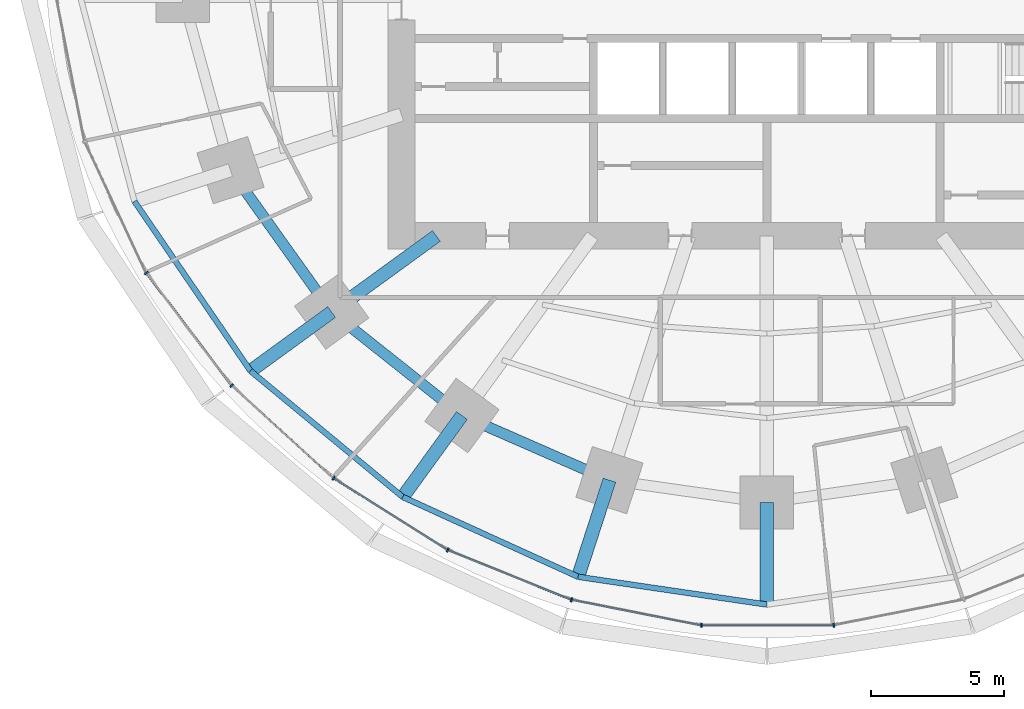
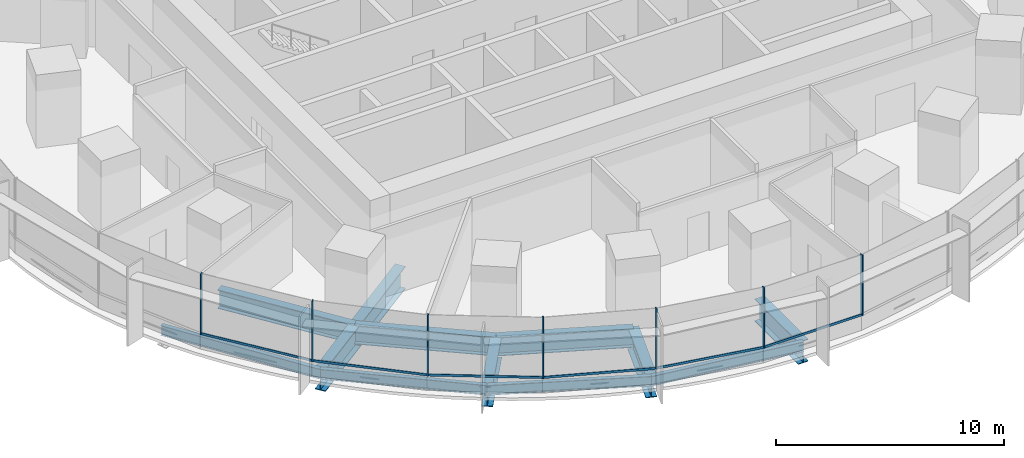
# One storey, part 2 of 15: 13 members, 12 beams, 2 elements without a shape of their own.
"""IFC4 building model written with IfcOpenShell, lengths in metres."""

from ifc_helpers import new_model, si_unit, direction, frame, origin, origin_2d, place, context, subcontext, project, spatial, rectangle, i_section, extrude, material, material_profile, profile_set, type_object, element, aggregate, save


model = new_model("IFC4")

# Units and contexts
model_context = context("Model", 3, precision=1e-05, world=origin(), true_north=direction((0.0, 1.0)))
body_context = subcontext(model_context, "Body", "Model", "MODEL_VIEW")
ifc_project = project(units=[si_unit("LENGTHUNIT", "METRE"), si_unit("AREAUNIT", "SQUARE_METRE"), si_unit("VOLUMEUNIT", "CUBIC_METRE"), si_unit("PLANEANGLEUNIT", "RADIAN"), si_unit("MASSUNIT", "GRAM", prefix="KILO")], contexts=[model_context])

# Site, building, storey
site_placement = place(None, origin())
site = spatial("IfcSite", under=ifc_project, at=site_placement, CompositionType="ELEMENT")
building_placement = place(site_placement, origin())
building = spatial("IfcBuilding", under=site, at=building_placement, Name="Marramba Exchange Tower", CompositionType="ELEMENT")
storey_placement = place(building_placement, frame((0.0, 0.0, 74.199951171875)))
storey = spatial("IfcBuildingStorey", under=building, at=storey_placement, Name="L17", CompositionType="ELEMENT", Elevation=74.199951171875)

# Beams
ifc_material_1 = material(Name="Steel AS/NZS 3679.2 grade 300", Category="steel")
ifc_material_profile_1 = material_profile(ifc_material_1, i_section(OverallWidth=0.5, OverallDepth=1.199951171875, WebThickness=0.01611328125, FlangeThickness=0.0400390625, at=origin_2d()), Name="1200WB455")
ifc_profile_set_1 = profile_set([ifc_material_profile_1], Name="Steel AS/NZS 3679.2 grade 300")
beam_type_1 = type_object("IfcBeamType", Name="Cantilever girder 1200WB455", PredefinedType="BEAM", material=ifc_profile_set_1)
beam_1_placement = place(storey_placement, frame((-16.3154296875, -11.853759765625, -0.760009765625), z_axis=(-0.809008346081, -0.587797155463, 0.0), x_axis=(0.587797155463, -0.809008346081, 0.0)))
element("IfcBeam", 1, at=beam_1_placement, inside=storey, type_object=beam_type_1, Name="Cantilever girder L17 TC13", PredefinedType="BEAM", context=body_context, shape_type="SweptSolid", body=[
    extrude(i_section(OverallWidth=0.5, OverallDepth=1.199951171875, WebThickness=0.01611328125, FlangeThickness=0.0400390625, at=origin_2d()), origin(), (0.0, 0.0, 1.0), 3.76025390625),
])
beam_2_placement = place(storey_placement, frame((-11.430419921875, -15.732666015625, -0.760009765625), z_axis=(-0.587787232741, -0.809015555491, 0.0), x_axis=(0.809015555491, -0.587787232741, 0.0)))
element("IfcBeam", 2, at=beam_2_placement, inside=storey, type_object=beam_type_1, Name="Cantilever girder L17 TC14", PredefinedType="BEAM", context=body_context, shape_type="SweptSolid", body=[
    extrude(i_section(OverallWidth=0.5, OverallDepth=1.199951171875, WebThickness=0.01611328125, FlangeThickness=0.0400390625, at=origin_2d()), origin(), (0.0, 0.0, 1.0), 3.7763671875),
])
beam_3_placement = place(storey_placement, frame((-5.899658203125, -18.156982421875, -0.760009765625), z_axis=(-0.309009272901, -0.951059025119, 0.0), x_axis=(0.951059025119, -0.309009272901, 0.0)))
element("IfcBeam", 3, at=beam_3_placement, inside=storey, type_object=beam_type_1, Name="Cantilever girder L17 TC15", PredefinedType="BEAM", context=body_context, shape_type="SweptSolid", body=[
    extrude(i_section(OverallWidth=0.5, OverallDepth=1.199951171875, WebThickness=0.01611328125, FlangeThickness=0.0400390625, at=origin_2d()), origin(), (0.0, 0.0, 1.0), 3.809814453125),
])
beam_4_placement = place(storey_placement, frame((0.0, -18.99609375, -0.760009765625), z_axis=(0.0, -1.0, 0.0), x_axis=(1.0, 0.0, 0.0)))
element("IfcBeam", 4, at=beam_4_placement, inside=storey, type_object=beam_type_1, Name="Cantilever girder L17 TC16", PredefinedType="BEAM", context=body_context, shape_type="SweptSolid", body=[
    extrude(i_section(OverallWidth=0.5, OverallDepth=1.199951171875, WebThickness=0.01611328125, FlangeThickness=0.0400390625, at=origin_2d()), origin(), (0.0, 0.0, 1.0), 3.825927734375),
])
ifc_material_profile_2 = material_profile(ifc_material_1, i_section(OverallWidth=0.5, OverallDepth=1.199951171875, WebThickness=0.01611328125, FlangeThickness=0.0400390625, at=origin_2d()), Name="1200WB455")
ifc_profile_set_2 = profile_set([ifc_material_profile_2], Name="Steel AS/NZS 3679.2 grade 300")
beam_type_2 = type_object("IfcBeamType", Name="Radial girder 1200WB455", PredefinedType="BEAM", material=ifc_profile_set_2)
beam_5_placement = place(storey_placement, frame((-12.387451171875, -9.0, -0.760009765625), z_axis=(-0.809025189606, -0.58777397236, 0.0), x_axis=(0.58777397236, -0.809025189606, 0.0)))
element("IfcBeam", 5, at=beam_5_placement, inside=storey, type_object=beam_type_2, Name="Radial girder L17 TC13", PredefinedType="BEAM", context=body_context, shape_type="SweptSolid", body=[
    extrude(i_section(OverallWidth=0.5, OverallDepth=1.199951171875, WebThickness=0.01611328125, FlangeThickness=0.0400390625, at=origin_2d()), origin(), (0.0, 0.0, 1.0), 4.855224609375),
])
ifc_material_profile_3 = material_profile(ifc_material_1, i_section(OverallWidth=0.39990234375, OverallDepth=1.0, WebThickness=0.01611328125, FlangeThickness=0.031982421875, at=origin_2d()), Name="1000WB322")
ifc_profile_set_3 = profile_set([ifc_material_profile_3], Name="Steel AS/NZS 3679.2 grade 300")
beam_type_3 = type_object("IfcBeamType", Name="Ring beam 1000WB322", PredefinedType="SPANDREL", material=ifc_profile_set_3)
beam_6_placement = place(storey_placement, frame((-20.109375, -6.533935546875, -0.659912109375), z_axis=(0.580637181111, -0.814162430914, 0.0), x_axis=(0.814162430914, 0.580637181111, 0.0)))
element("IfcBeam", 6, at=beam_6_placement, inside=storey, type_object=beam_type_3, Name="Ring beam L17 TC12-TC13", PredefinedType="SPANDREL", context=body_context, shape_type="SweptSolid", body=[
    extrude(i_section(OverallWidth=0.39990234375, OverallDepth=1.0, WebThickness=0.01611328125, FlangeThickness=0.031982421875, at=origin_2d()), origin(), (0.0, 0.0, 1.0), 6.5341796875),
])
beam_7_placement = place(storey_placement, frame((-16.3154296875, -11.853759765625, -0.659912109375), z_axis=(0.783139438128, -0.621846138887, 0.0), x_axis=(0.621846138887, 0.783139438128, 0.0)))
element("IfcBeam", 7, at=beam_7_placement, inside=storey, type_object=beam_type_3, Name="Ring beam L17 TC13-TC14", PredefinedType="SPANDREL", context=body_context, shape_type="SweptSolid", body=[
    extrude(i_section(OverallWidth=0.39990234375, OverallDepth=1.0, WebThickness=0.01611328125, FlangeThickness=0.031982421875, at=origin_2d()), origin(), (0.0, 0.0, 1.0), 6.23779296875),
])
beam_8_placement = place(storey_placement, frame((-11.430419921875, -15.732666015625, -0.659912109375), z_axis=(0.915876892158, -0.4014592363, 0.0), x_axis=(0.4014592363, 0.915876892158, 0.0)))
element("IfcBeam", 8, at=beam_8_placement, inside=storey, type_object=beam_type_3, Name="Ring beam L17 TC14-TC15", PredefinedType="SPANDREL", context=body_context, shape_type="SweptSolid", body=[
    extrude(i_section(OverallWidth=0.39990234375, OverallDepth=1.0, WebThickness=0.01611328125, FlangeThickness=0.031982421875, at=origin_2d()), origin(), (0.0, 0.0, 1.0), 6.038818359375),
])
ifc_material_2 = material(Name="Steel AS/NZS 3679.1 grade 300", Category="steel")
ifc_material_profile_4 = material_profile(ifc_material_2, i_section(OverallWidth=0.208984375, OverallDepth=0.528076171875, WebThickness=0.009521484375, FlangeThickness=0.01318359375, FilletRadius=0.013916015625, at=origin_2d()), Name="530UB82.0")
ifc_profile_set_4 = profile_set([ifc_material_profile_4], Name="Steel AS/NZS 3679.1 grade 300")
beam_type_4 = type_object("IfcBeamType", Name="Slab edge beam 530UB82.0", PredefinedType="SPANDREL", material=ifc_profile_set_4)
beam_9_placement = place(storey_placement, frame((-23.709716796875, -7.703857421875, -0.424072265625), z_axis=(0.564740697285, -0.82526840775, 0.0), x_axis=(0.82526840775, 0.564740697285, 0.0)))
element("IfcBeam", 9, at=beam_9_placement, inside=storey, type_object=beam_type_4, Name="Slab edge beam L17 TC12-TC13", PredefinedType="SPANDREL", context=body_context, shape_type="SweptSolid", body=[
    extrude(i_section(OverallWidth=0.208984375, OverallDepth=0.528076171875, WebThickness=0.009521484375, FlangeThickness=0.01318359375, FilletRadius=0.013916015625, at=origin_2d()), origin(), (0.0, 0.0, 1.0), 7.706787109375),
])
beam_10_placement = place(storey_placement, frame((-19.357421875, -14.06396484375, -0.424072265625), z_axis=(0.770353575372, -0.637616945283, 0.0), x_axis=(0.637616945283, 0.770353575372, 0.0)))
element("IfcBeam", 10, at=beam_10_placement, inside=storey, type_object=beam_type_4, Name="Slab edge beam L17 TC13-TC14", PredefinedType="SPANDREL", context=body_context, shape_type="SweptSolid", body=[
    extrude(i_section(OverallWidth=0.208984375, OverallDepth=0.528076171875, WebThickness=0.009521484375, FlangeThickness=0.01318359375, FilletRadius=0.013916015625, at=origin_2d()), origin(), (0.0, 0.0, 1.0), 7.40869140625),
])
beam_11_placement = place(storey_placement, frame((-13.650146484375, -18.787841796875, -0.424072265625), z_axis=(0.910126690081, -0.414330071324, 0.0), x_axis=(0.414330071324, 0.910126690081, 0.0)))
element("IfcBeam", 11, at=beam_11_placement, inside=storey, type_object=beam_type_4, Name="Slab edge beam L17 TC14-TC15", PredefinedType="SPANDREL", context=body_context, shape_type="SweptSolid", body=[
    extrude(i_section(OverallWidth=0.208984375, OverallDepth=0.528076171875, WebThickness=0.009521484375, FlangeThickness=0.01318359375, FilletRadius=0.013916015625, at=origin_2d()), origin(), (0.0, 0.0, 1.0), 7.222412109375),
])
beam_12_placement = place(storey_placement, frame((-7.076904296875, -21.7802734375, -0.424072265625), z_axis=(0.989338462178, -0.145634498848, 0.0), x_axis=(0.145634498848, 0.989338462178, 0.0)))
element("IfcBeam", 12, at=beam_12_placement, inside=storey, type_object=beam_type_4, Name="Slab edge beam L17 TC15-TC16", PredefinedType="SPANDREL", context=body_context, shape_type="SweptSolid", body=[
    extrude(i_section(OverallWidth=0.208984375, OverallDepth=0.528076171875, WebThickness=0.009521484375, FlangeThickness=0.01318359375, FilletRadius=0.013916015625, at=origin_2d()), origin(), (0.0, 0.0, 1.0), 7.153076171875),
])

# Curtain wall, members
ifc_material_3 = material(Name="Aluminium framing, bronze anodised", Category="aluminium")
curtain_wall_type = type_object("IfcCurtainWallType", Name="Trading floor ribbon curtain wall", PredefinedType="USERDEFINED", material=ifc_material_3)
curtain_wall_1_placement = place(storey_placement, origin())
curtain_wall_1 = element("IfcCurtainWall", 13, at=curtain_wall_1_placement, inside=storey, type_object=curtain_wall_type, Name="Curtain wall CW3 L17 F16-F20", ObjectType="RIBBON CURTAIN WALL", PredefinedType="USERDEFINED")
ifc_material_4 = material(Name="Aluminium mullion, bronze anodised", Category="aluminium")
ifc_material_profile_5 = material_profile(ifc_material_4, rectangle(XDim=0.159912109375, YDim=0.06005859375, at=origin_2d()), Name="CW3 mullion 60x160")
ifc_profile_set_5 = profile_set([ifc_material_profile_5], Name="Aluminium mullion, bronze anodised")
member_type_1 = type_object("IfcMemberType", Name="Trading floor ribbon curtain wall mullion", PredefinedType="MULLION", material=ifc_profile_set_5)
member_1_placement = place(storey_placement, frame((-23.26318359375, -10.389404296875, 0.800048828125), z_axis=(0.0, 0.0, 1.0), x_axis=(0.797710591138, 0.603040473588, 0.0)))
member_1 = element("IfcMember", 14, at=member_1_placement, type_object=member_type_1, Name="CW3 mullion 1", PredefinedType="MULLION", context=body_context, shape_type="SweptSolid", body=[
    extrude(rectangle(XDim=0.159912109375, YDim=0.06005859375, at=origin_2d()), origin(), (0.0, 0.0, 1.0), 3.239990234375),
])
member_2_placement = place(storey_placement, frame((-20.063232421875, -14.61328125, 0.800048828125), z_axis=(0.0, 0.0, 1.0), x_axis=(0.673058133441, 0.739589581463, 0.0)))
member_2 = element("IfcMember", 15, at=member_2_placement, type_object=member_type_1, Name="CW3 mullion 1", PredefinedType="MULLION", context=body_context, shape_type="SweptSolid", body=[
    extrude(rectangle(XDim=0.159912109375, YDim=0.06005859375, at=origin_2d()), origin(), (0.0, 0.0, 1.0), 3.239990234375),
])
member_3_placement = place(storey_placement, frame((-16.242431640625, -18.083251953125, 0.800048828125), z_axis=(0.0, 0.0, 1.0), x_axis=(0.533514646612, 0.845790826298, 0.0)))
member_3 = element("IfcMember", 16, at=member_3_placement, type_object=member_type_1, Name="CW3 mullion 1", PredefinedType="MULLION", context=body_context, shape_type="SweptSolid", body=[
    extrude(rectangle(XDim=0.159912109375, YDim=0.06005859375, at=origin_2d()), origin(), (0.0, 0.0, 1.0), 3.239990234375),
])

curtain_wall_2_placement = place(storey_placement, origin())
curtain_wall_2 = element("IfcCurtainWall", 17, at=curtain_wall_2_placement, inside=storey, type_object=curtain_wall_type, Name="Curtain wall CW3 L17 F21-F25", ObjectType="RIBBON CURTAIN WALL", PredefinedType="USERDEFINED")
member_4_placement = place(storey_placement, frame((-11.96142578125, -20.77734375, 0.800048828125), z_axis=(0.0, 0.0, 1.0), x_axis=(0.374218219325, 0.927340673283, 0.0)))
member_4 = element("IfcMember", 18, at=member_4_placement, type_object=member_type_1, Name="CW3 mullion 1", PredefinedType="MULLION", context=body_context, shape_type="SweptSolid", body=[
    extrude(rectangle(XDim=0.159912109375, YDim=0.06005859375, at=origin_2d()), origin(), (0.0, 0.0, 1.0), 3.239990234375),
])
member_5_placement = place(storey_placement, frame((-7.325439453125, -22.64208984375, 0.800048828125), z_axis=(0.0, 0.0, 1.0), x_axis=(0.193961202977, 0.98100920064, 0.0)))
member_5 = element("IfcMember", 19, at=member_5_placement, type_object=member_type_1, Name="CW3 mullion 1", PredefinedType="MULLION", context=body_context, shape_type="SweptSolid", body=[
    extrude(rectangle(XDim=0.159912109375, YDim=0.06005859375, at=origin_2d()), origin(), (0.0, 0.0, 1.0), 3.239990234375),
])
member_6_placement = place(storey_placement, frame((-2.450439453125, -23.599853515625, 0.800048828125), z_axis=(0.0, 0.0, 1.0), x_axis=(0.0, 1.0, 0.0)))
member_6 = element("IfcMember", 20, at=member_6_placement, type_object=member_type_1, Name="CW3 mullion 1", PredefinedType="MULLION", context=body_context, shape_type="SweptSolid", body=[
    extrude(rectangle(XDim=0.159912109375, YDim=0.06005859375, at=origin_2d()), origin(), (0.0, 0.0, 1.0), 3.239990234375),
])
member_7_placement = place(storey_placement, frame((2.509765625, -23.59423828125, 0.800048828125), z_axis=(0.0, 0.0, 1.0), x_axis=(-0.193961202977, 0.98100920064, 0.0)))
member_7 = element("IfcMember", 21, at=member_7_placement, type_object=member_type_1, Name="CW3 mullion 1", PredefinedType="MULLION", context=body_context, shape_type="SweptSolid", body=[
    extrude(rectangle(XDim=0.159912109375, YDim=0.06005859375, at=origin_2d()), origin(), (0.0, 0.0, 1.0), 3.239990234375),
])

# Member
ifc_material_5 = material(Name="Aluminium transom, bronze anodised", Category="aluminium")
ifc_material_profile_6 = material_profile(ifc_material_5, rectangle(XDim=0.06005859375, YDim=0.1201171875, at=origin_2d()), Name="CW3 transom 60x120")
ifc_profile_set_6 = profile_set([ifc_material_profile_6], Name="Aluminium transom, bronze anodised")
member_type_2 = type_object("IfcMemberType", Name="Trading floor ribbon curtain wall transom", PredefinedType="USERDEFINED", material=ifc_profile_set_6)
member_8_placement = place(storey_placement, frame((-23.2451171875, -10.413330078125, 0.830078125), z_axis=(0.603037409419, -0.797712907531, 0.0), x_axis=(0.797712907531, 0.603037409419, 0.0)))
member_8 = element("IfcMember", 22, at=member_8_placement, type_object=member_type_2, Name="CW3 sill transom", ObjectType="TRANSOM", PredefinedType="USERDEFINED", context=body_context, shape_type="SweptSolid", body=[
    extrude(rectangle(XDim=0.06005859375, YDim=0.1201171875, at=origin_2d()), origin(), (0.0, 0.0, 1.0), 5.239501953125),
])

member_9_placement = place(storey_placement, frame((-20.041015625, -14.63330078125, 0.830078125), z_axis=(0.739582688456, -0.673065707741, 0.0), x_axis=(0.673065707741, 0.739582688456, 0.0)))
member_9 = element("IfcMember", 23, at=member_9_placement, type_object=member_type_2, Name="CW3 sill transom", ObjectType="TRANSOM", PredefinedType="USERDEFINED", context=body_context, shape_type="SweptSolid", body=[
    extrude(rectangle(XDim=0.06005859375, YDim=0.1201171875, at=origin_2d()), origin(), (0.0, 0.0, 1.0), 5.101806640625),
])

member_10_placement = place(storey_placement, frame((-16.217041015625, -18.09912109375, 0.830078125), z_axis=(0.845776602594, -0.533537195053, 0.0), x_axis=(0.533537195053, 0.845776602594, 0.0)))
member_10 = element("IfcMember", 24, at=member_10_placement, type_object=member_type_2, Name="CW3 sill transom", ObjectType="TRANSOM", PredefinedType="USERDEFINED", context=body_context, shape_type="SweptSolid", body=[
    extrude(rectangle(XDim=0.06005859375, YDim=0.1201171875, at=origin_2d()), origin(), (0.0, 0.0, 1.0), 4.998779296875),
])

aggregate(curtain_wall_1, [member_1, member_8, member_2, member_9, member_3, member_10])

member_11_placement = place(storey_placement, frame((-11.93359375, -20.78857421875, 0.830078125), z_axis=(0.927340197166, -0.374219399176, 0.0), x_axis=(0.374219399176, 0.927340197166, 0.0)))
member_11 = element("IfcMember", 25, at=member_11_placement, type_object=member_type_2, Name="CW3 sill transom", ObjectType="TRANSOM", PredefinedType="USERDEFINED", context=body_context, shape_type="SweptSolid", body=[
    extrude(rectangle(XDim=0.06005859375, YDim=0.1201171875, at=origin_2d()), origin(), (0.0, 0.0, 1.0), 4.937255859375),
])

member_12_placement = place(storey_placement, frame((-7.296142578125, -22.64794921875, 0.830078125), z_axis=(0.981018169547, -0.193915834883, 0.0), x_axis=(0.193915834883, 0.981018169547, 0.0)))
member_12 = element("IfcMember", 26, at=member_12_placement, type_object=member_type_2, Name="CW3 sill transom", ObjectType="TRANSOM", PredefinedType="USERDEFINED", context=body_context, shape_type="SweptSolid", body=[
    extrude(rectangle(XDim=0.06005859375, YDim=0.1201171875, at=origin_2d()), origin(), (0.0, 0.0, 1.0), 4.908935546875),
])

member_13_placement = place(storey_placement, frame((-2.42041015625, -23.599853515625, 0.830078125), z_axis=(1.0, 0.0, 0.0), x_axis=(0.0, 1.0, 0.0)))
member_13 = element("IfcMember", 27, at=member_13_placement, type_object=member_type_2, Name="CW3 sill transom", ObjectType="TRANSOM", PredefinedType="USERDEFINED", context=body_context, shape_type="SweptSolid", body=[
    extrude(rectangle(XDim=0.06005859375, YDim=0.1201171875, at=origin_2d()), origin(), (0.0, 0.0, 1.0), 4.90087890625),
])

aggregate(curtain_wall_2, [member_4, member_11, member_5, member_12, member_6, member_13, member_7])

save(model, "model.ifc")
